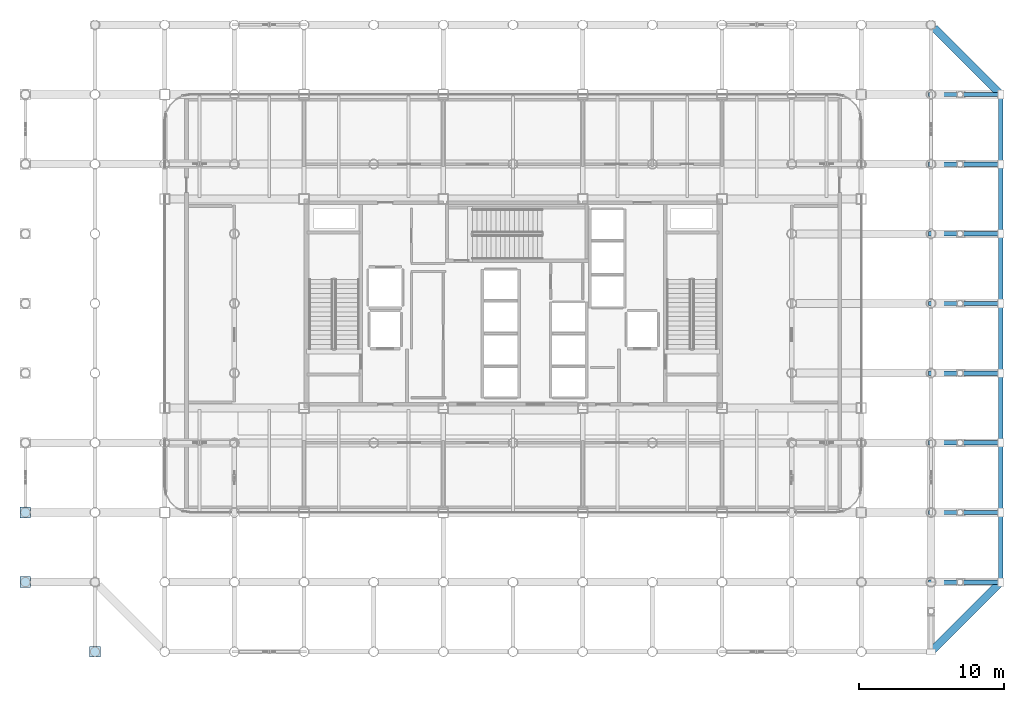
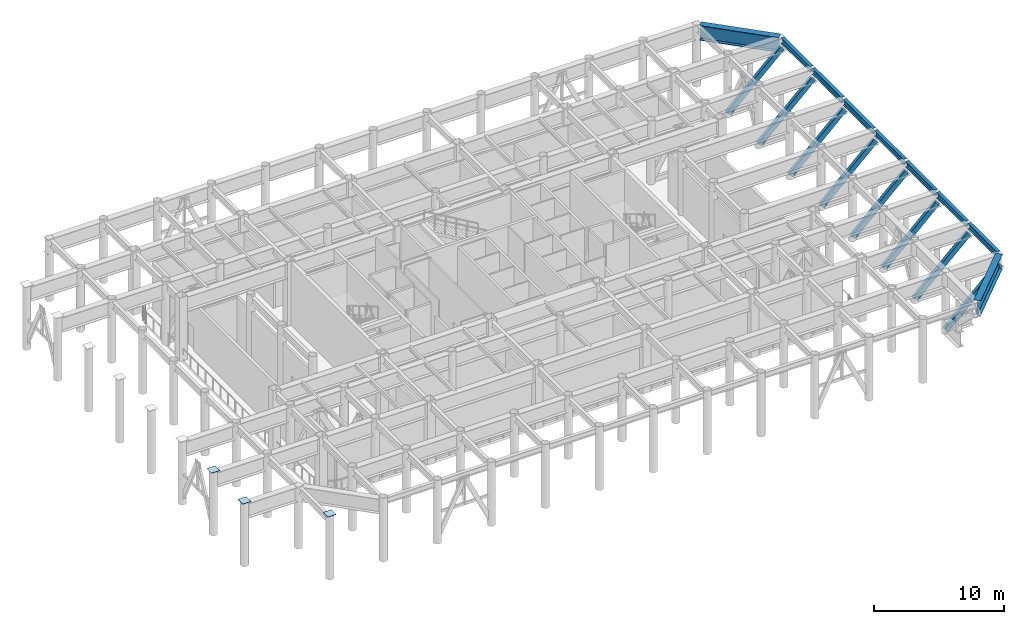
# One storey, part 12 of 20: 9 beams, 8 members, 3 plates.
"""IFC4 building model written with IfcOpenShell, lengths in metres."""

from ifc_helpers import new_model, si_unit, direction, frame, origin, origin_2d, place, context, subcontext, project, spatial, rectangle, hollow_rectangle, i_section, extrude, material, layer, layer_set, material_profile, profile_set, type_object, element, save


model = new_model("IFC4")

# Units and contexts
model_context = context("Model", 3, precision=1e-05, world=origin(), true_north=direction((0.0, 1.0)))
body_context = subcontext(model_context, "Body", "Model", "MODEL_VIEW")
ifc_project = project(units=[si_unit("LENGTHUNIT", "METRE"), si_unit("AREAUNIT", "SQUARE_METRE"), si_unit("VOLUMEUNIT", "CUBIC_METRE"), si_unit("PLANEANGLEUNIT", "RADIAN"), si_unit("MASSUNIT", "GRAM", prefix="KILO")], contexts=[model_context])

# Site, building, storey
site_placement = place(None, origin())
site = spatial("IfcSite", under=ifc_project, at=site_placement, CompositionType="ELEMENT")
building_placement = place(site_placement, origin())
building = spatial("IfcBuilding", under=site, at=building_placement, Name="Kallvorn Hotel Tower", CompositionType="ELEMENT")
storey_placement = place(building_placement, frame((0.0, 0.0, 185.5)))
storey = spatial("IfcBuildingStorey", under=building, at=storey_placement, Name="L46", CompositionType="ELEMENT", Elevation=185.5)

# Beams
ifc_material_1 = material(Name="Structural steel S355JR", Category="steel")
ifc_material_profile_1 = material_profile(ifc_material_1, i_section(OverallWidth=0.300048828125, OverallDepth=0.550048828125, WebThickness=0.014892578125, FlangeThickness=0.029052734375, at=origin_2d()), Name="HE 550 B")
ifc_profile_set_1 = profile_set([ifc_material_profile_1], Name="Structural steel S355JR")
beam_type_1 = type_object("IfcBeamType", Name="BM_HE550B", PredefinedType="SPANDREL", material=ifc_profile_set_1)
for number, where, z_axis, x_axis, name in (
    (1, (33.60009765625, -19.050048828125, 5.544921875), (0.0, 1.0, 0.0), (-1.0, 0.0, 0.0), "L47 Perimeter Spandrel 191"),
    (2, (33.60009765625, -14.25, 5.544921875), (0.0, 1.0, 0.0), (-1.0, 0.0, 0.0), "L47 Perimeter Spandrel 192"),
    (3, (33.60009765625, -9.449951171875, 5.544921875), (0.0, 1.0, 0.0), (-1.0, 0.0, 0.0), "L47 Perimeter Spandrel 193"),
    (4, (33.60009765625, -4.64990234375, 5.544921875), (0.0, 1.0, 0.0), (-1.0, 0.0, 0.0), "L47 Perimeter Spandrel 194"),
    (5, (33.60009765625, 0.14990234375, 5.544921875), (0.0, 1.0, 0.0), (-1.0, 0.0, 0.0), "L47 Perimeter Spandrel 195"),
    (6, (33.60009765625, 4.949951171875, 5.544921875), (0.0, 1.0, 0.0), (-1.0, 0.0, 0.0), "L47 Perimeter Spandrel 196"),
    (7, (33.60009765625, 9.75, 5.544921875), (0.0, 1.0, 0.0), (-1.0, 0.0, 0.0), "L47 Perimeter Spandrel 197"),
):
    element("IfcBeam", number, at=place(storey_placement, frame(where, z_axis=z_axis, x_axis=x_axis)), inside=storey, type_object=beam_type_1, Name=name, PredefinedType="SPANDREL", context=body_context, shape_type="SweptSolid", body=[
        extrude(i_section(OverallWidth=0.300048828125, OverallDepth=0.550048828125, WebThickness=0.014892578125, FlangeThickness=0.029052734375, at=origin_2d()), origin(), (0.0, 0.0, 1.0), 4.5),
    ])
ifc_material_2 = material(Name="Structural steel S355JR", Category="steel")
ifc_material_profile_2 = material_profile(ifc_material_2, i_section(OverallWidth=0.550048828125, OverallDepth=1.39990234375, WebThickness=0.02490234375, FlangeThickness=0.044921875, at=origin_2d()), Name="PG 1400x550x25x45")
ifc_profile_set_2 = profile_set([ifc_material_profile_2], Name="Structural steel S355JR")
beam_type_2 = type_object("IfcBeamType", Name="BM_PG_1400", PredefinedType="BEAM", material=ifc_profile_set_2)
beam_1_placement = place(storey_placement, frame((33.493896484375, -19.30615234375, 5.1201171875), z_axis=(-0.707125595474, -0.707087966398, 0.0), x_axis=(0.707087966398, -0.707125595474, 0.0)))
element("IfcBeam", 8, at=beam_1_placement, inside=storey, type_object=beam_type_2, Name="L47 Rounded Corner Tie Beam 199", PredefinedType="BEAM", context=body_context, shape_type="SweptSolid", body=[
    extrude(i_section(OverallWidth=0.550048828125, OverallDepth=1.39990234375, WebThickness=0.02490234375, FlangeThickness=0.044921875, at=origin_2d()), origin(), (0.0, 0.0, 1.0), 6.488037109375),
])
beam_2_placement = place(storey_placement, frame((33.493896484375, 14.506103515625, 5.1201171875), z_axis=(-0.707106781187, 0.707106781187, 0.0), x_axis=(-0.707106781187, -0.707106781187, 0.0)))
element("IfcBeam", 9, at=beam_2_placement, inside=storey, type_object=beam_type_2, Name="L47 Rounded Corner Tie Beam 200", PredefinedType="BEAM", context=body_context, shape_type="SweptSolid", body=[
    extrude(i_section(OverallWidth=0.550048828125, OverallDepth=1.39990234375, WebThickness=0.02490234375, FlangeThickness=0.044921875, at=origin_2d()), origin(), (0.0, 0.0, 1.0), 6.318115234375),
])

# Members
ifc_material_3 = material(Name="Structural steel S355J2H", Category="steel")
ifc_material_profile_3 = material_profile(ifc_material_3, hollow_rectangle(XDim=0.300048828125, YDim=0.5, WallThickness=0.02490234375, at=origin_2d()), Name="RHS 500x300x25")
ifc_profile_set_3 = profile_set([ifc_material_profile_3], Name="Structural steel S355J2H")
member_type = type_object("IfcMemberType", Name="MBR_OUTRIGGER_RHS500", PredefinedType="BRACE", material=ifc_profile_set_3)
for number, where, z_axis, x_axis, name in (
    (10, (28.800048828125, -19.199951171875, 0.25), (0.728023860888, 0.0, 0.685551790879), (0.0, 1.0, 0.0), "L47 Exoskeleton Cantilever Raking Strut 02"),
    (11, (28.800048828125, -14.39990234375, 0.25), (0.728023860888, 0.0, 0.685551790879), (0.0, 1.0, 0.0), "L47 Exoskeleton Cantilever Raking Strut 03"),
    (12, (28.800048828125, -9.60009765625, 0.25), (0.728023860888, 0.0, 0.685551790879), (0.0, 1.0, 0.0), "L47 Exoskeleton Cantilever Raking Strut 04"),
    (13, (28.800048828125, -4.800048828125, 0.25), (0.728023860888, 0.0, 0.685551790879), (0.0, 1.0, 0.0), "L47 Exoskeleton Cantilever Raking Strut 05"),
    (14, (28.800048828125, 0.0, 0.25), (0.728023860888, 0.0, 0.685551790879), (0.0, 1.0, 0.0), "L47 Exoskeleton Cantilever Raking Strut 06"),
    (15, (28.800048828125, 4.800048828125, 0.25), (0.728023860888, 0.0, 0.685551790879), (0.0, 1.0, 0.0), "L47 Exoskeleton Cantilever Raking Strut 07"),
    (16, (28.800048828125, 9.60009765625, 0.25), (0.728023860888, 0.0, 0.685551790879), (0.0, 1.0, 0.0), "L47 Exoskeleton Cantilever Raking Strut 08"),
    (17, (28.800048828125, 14.39990234375, 0.25), (0.728023860888, 0.0, 0.685551790879), (0.0, 1.0, 0.0), "L47 Exoskeleton Cantilever Raking Strut 09"),
):
    element("IfcMember", number, at=place(storey_placement, frame(where, z_axis=z_axis, x_axis=x_axis)), inside=storey, type_object=member_type, Name=name, PredefinedType="BRACE", context=body_context, shape_type="SweptSolid", body=[
        extrude(hollow_rectangle(XDim=0.300048828125, YDim=0.5, WallThickness=0.02490234375, at=origin_2d()), origin(), (0.0, 0.0, 1.0), 6.59326171875),
    ])

# Plates
ifc_material_4 = material(Name="Structural steel S355JR", Category="steel")
ifc_layer = layer(ifc_material_4, 0.030029296875)
ifc_layer_set = layer_set([ifc_layer], Name="PLT_CAP_30")
plate_type = type_object("IfcPlateType", Name="PLT_CAP_30", PredefinedType="SHEET", material=ifc_layer_set)
for number, where, z_axis, x_axis, name in (
    (18, (-33.60009765625, -19.199951171875, 6.0), (0.0, 0.0, 1.0), (1.0, 0.0, 0.0), "L46 Hollow Column Top End Cap Plate 0225"),
    (19, (-33.60009765625, -14.39990234375, 6.0), (0.0, 0.0, 1.0), (1.0, 0.0, 0.0), "L46 Hollow Column Top End Cap Plate 0226"),
    (20, (-28.800048828125, -24.0, 6.0), (0.0, 0.0, 1.0), (1.0, 0.0, 0.0), "L46 Hollow Column Top End Cap Plate 0233"),
):
    element("IfcPlate", number, at=place(storey_placement, frame(where, z_axis=z_axis, x_axis=x_axis)), inside=storey, type_object=plate_type, Name=name, PredefinedType="SHEET", context=body_context, shape_type="SweptSolid", body=[
        extrude(rectangle(XDim=0.739990234375, YDim=0.739990234375, at=origin_2d()), origin(), (0.0, 0.0, 1.0), 0.030029296875),
    ])

save(model, "model.ifc")
